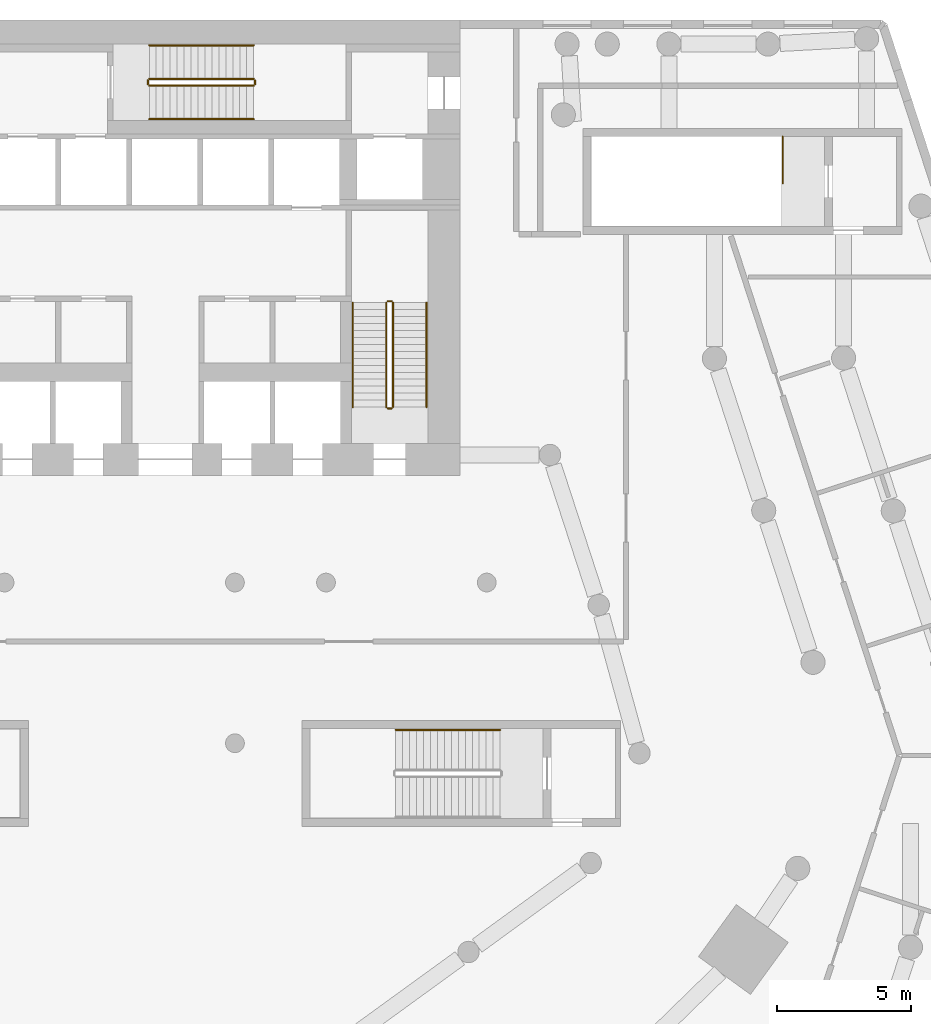
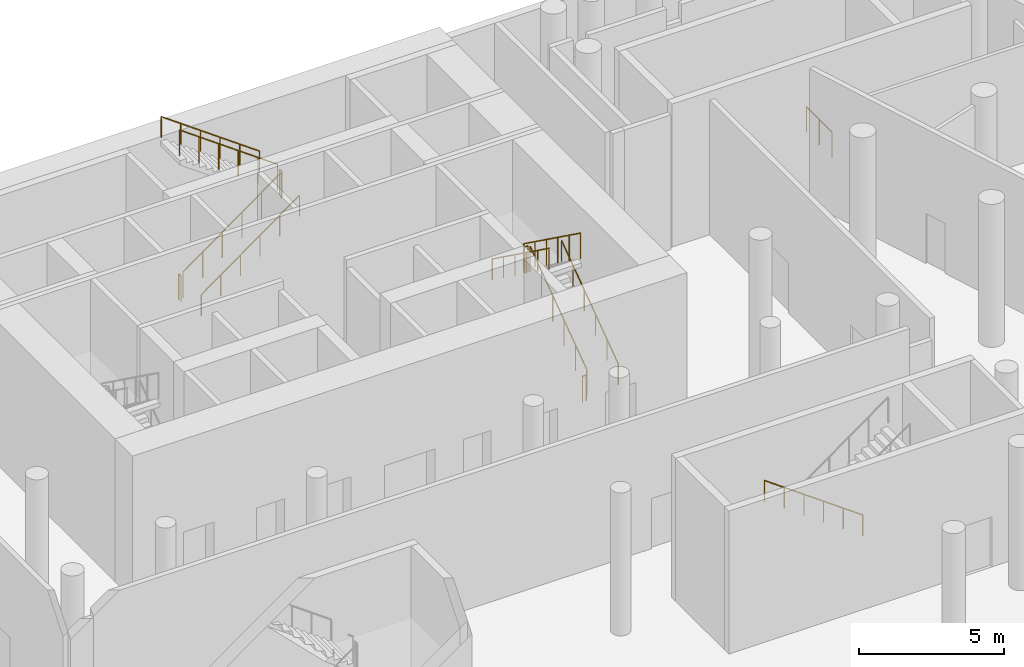
# One storey, part 19 of 19: 14 railings.
"""IFC4 building model written with IfcOpenShell, lengths in metres."""

from ifc_helpers import new_model, si_unit, direction, frame, origin, origin_2d, place, context, subcontext, project, spatial, circle, extrude, material, type_object, element, save


model = new_model("IFC4")

# Units and contexts
model_context = context("Model", 3, precision=1e-05, world=origin(), true_north=direction((0.0, 1.0)))
body_context = subcontext(model_context, "Body", "Model", "MODEL_VIEW")
ifc_project = project(units=[si_unit("LENGTHUNIT", "METRE"), si_unit("AREAUNIT", "SQUARE_METRE"), si_unit("VOLUMEUNIT", "CUBIC_METRE"), si_unit("PLANEANGLEUNIT", "RADIAN"), si_unit("MASSUNIT", "GRAM", prefix="KILO")], contexts=[model_context])

# Site, building, storey
site_placement = place(None, origin())
site = spatial("IfcSite", under=ifc_project, at=site_placement, CompositionType="ELEMENT")
building_placement = place(site_placement, origin())
building = spatial("IfcBuilding", under=site, at=building_placement, Name="White Candle Pilgrim Tower", CompositionType="ELEMENT")
storey_placement = place(building_placement, frame((0.0, 0.0, 23.0)))
storey = spatial("IfcBuildingStorey", under=building, at=storey_placement, Name="L03", CompositionType="ELEMENT", Elevation=23.0)

# Railings
ifc_material = material(Name="Stainless steel", Category="steel")
railing_type_1 = type_object("IfcRailingType", Name="Stair guard stainless steel 1100 mm", PredefinedType="GUARDRAIL", material=ifc_material)
railing_1_placement = place(storey_placement, frame((78.5, 73.550048828125, 0.1875)))
element("IfcRailing", 1, at=railing_1_placement, inside=storey, type_object=railing_type_1, Name="L03 ST2 stair guard 1", PredefinedType="GUARDRAIL", context=body_context, shape_type="SweptSolid", body=[
    extrude(circle(Radius=0.02392578125, at=origin_2d()), frame((0.0, 0.0, 1.076171875), z_axis=(0.0, 0.811083382981, 0.584930547887), x_axis=(-1.0, 0.0, 0.0)), (0.0, 0.0, 1.0), 4.808349609375),
    extrude(circle(Radius=0.02099609375, at=origin_2d()), origin(), (0.0, 0.0, 1.0), 1.052001953125),
    extrude(circle(Radius=0.02099609375, at=origin_2d()), frame((0.0, 0.780029296875, 0.5625)), (0.0, 0.0, 1.0), 1.052001953125),
    extrude(circle(Radius=0.02099609375, at=origin_2d()), frame((0.0, 1.56005859375, 1.125)), (0.0, 0.0, 1.0), 1.052001953125),
    extrude(circle(Radius=0.02099609375, at=origin_2d()), frame((0.0, 2.33984375, 1.6875)), (0.0, 0.0, 1.0), 1.052001953125),
    extrude(circle(Radius=0.02099609375, at=origin_2d()), frame((0.0, 3.119873046875, 2.25)), (0.0, 0.0, 1.0), 1.052001953125),
    extrude(circle(Radius=0.02099609375, at=origin_2d()), frame((0.0, 3.89990234375, 2.8125)), (0.0, 0.0, 1.0), 1.052001953125),
])
railing_2_placement = place(storey_placement, frame((78.449951171875, 77.5, 3.0)))
element("IfcRailing", 2, at=railing_2_placement, inside=storey, type_object=railing_type_1, Name="L03 ST2 stair guard 2", PredefinedType="GUARDRAIL", context=body_context, shape_type="SweptSolid", body=[
    extrude(circle(Radius=0.02392578125, at=origin_2d()), frame((0.0, 0.0, 1.076171875), z_axis=(-1.0, 0.0, 0.0), x_axis=(0.0, -1.0, 0.0)), (0.0, 0.0, 1.0), 0.14990234375),
    extrude(circle(Radius=0.02099609375, at=origin_2d()), origin(), (0.0, 0.0, 1.0), 1.052001953125),
    extrude(circle(Radius=0.02099609375, at=origin_2d()), frame((-0.14990234375, 0.0, 0.0)), (0.0, 0.0, 1.0), 1.052001953125),
])
railing_3_placement = place(storey_placement, frame((78.25, 77.449951171875, 3.1875)))
element("IfcRailing", 3, at=railing_3_placement, inside=storey, type_object=railing_type_1, Name="L03 ST2 stair guard 3", PredefinedType="GUARDRAIL", context=body_context, shape_type="SweptSolid", body=[
    extrude(circle(Radius=0.02392578125, at=origin_2d()), frame((0.0, 0.0, 1.076171875), z_axis=(0.0, -0.811083382981, 0.584930547887), x_axis=(1.0, 0.0, 0.0)), (0.0, 0.0, 1.0), 4.808349609375),
    extrude(circle(Radius=0.02099609375, at=origin_2d()), origin(), (0.0, 0.0, 1.0), 1.052001953125),
    extrude(circle(Radius=0.02099609375, at=origin_2d()), frame((0.0, -0.780029296875, 0.5625)), (0.0, 0.0, 1.0), 1.052001953125),
    extrude(circle(Radius=0.02099609375, at=origin_2d()), frame((0.0, -1.56005859375, 1.125)), (0.0, 0.0, 1.0), 1.052001953125),
    extrude(circle(Radius=0.02099609375, at=origin_2d()), frame((0.0, -2.33984375, 1.6875)), (0.0, 0.0, 1.0), 1.052001953125),
    extrude(circle(Radius=0.02099609375, at=origin_2d()), frame((0.0, -3.119873046875, 2.25)), (0.0, 0.0, 1.0), 1.052001953125),
    extrude(circle(Radius=0.02099609375, at=origin_2d()), frame((0.0, -3.89990234375, 2.8125)), (0.0, 0.0, 1.0), 1.052001953125),
])
railing_4_placement = place(storey_placement, frame((78.449951171875, 73.5, 0.0)))
element("IfcRailing", 4, at=railing_4_placement, inside=storey, type_object=railing_type_1, Name="L03 ST2 stair guard 4", PredefinedType="GUARDRAIL", context=body_context, shape_type="SweptSolid", body=[
    extrude(circle(Radius=0.02392578125, at=origin_2d()), frame((0.0, 0.0, 1.076171875), z_axis=(-1.0, 0.0, 0.0), x_axis=(0.0, -1.0, 0.0)), (0.0, 0.0, 1.0), 0.14990234375),
    extrude(circle(Radius=0.02099609375, at=origin_2d()), origin(), (0.0, 0.0, 1.0), 1.052001953125),
    extrude(circle(Radius=0.02099609375, at=origin_2d()), frame((-0.14990234375, 0.0, 0.0)), (0.0, 0.0, 1.0), 1.052001953125),
])
railing_5_placement = place(storey_placement, frame((69.39990234375, 85.550048828125, 0.1875)))
element("IfcRailing", 5, at=railing_5_placement, inside=storey, type_object=railing_type_1, Name="L03 ST3 stair guard 1", PredefinedType="GUARDRAIL", context=body_context, shape_type="SweptSolid", body=[
    extrude(circle(Radius=0.02392578125, at=origin_2d()), frame((0.0, 0.0, 1.076171875), z_axis=(0.811100754333, 0.0, 0.584906459462), x_axis=(0.0, 1.0, 0.0)), (0.0, 0.0, 1.0), 4.808349609375),
    extrude(circle(Radius=0.02099609375, at=origin_2d()), origin(), (0.0, 0.0, 1.0), 1.052001953125),
    extrude(circle(Radius=0.02099609375, at=origin_2d()), frame((0.780029296875, 0.0, 0.5625)), (0.0, 0.0, 1.0), 1.052001953125),
    extrude(circle(Radius=0.02099609375, at=origin_2d()), frame((1.56005859375, 0.0, 1.125)), (0.0, 0.0, 1.0), 1.052001953125),
    extrude(circle(Radius=0.02099609375, at=origin_2d()), frame((2.340087890625, 0.0, 1.6875)), (0.0, 0.0, 1.0), 1.052001953125),
    extrude(circle(Radius=0.02099609375, at=origin_2d()), frame((3.1201171875, 0.0, 2.25)), (0.0, 0.0, 1.0), 1.052001953125),
    extrude(circle(Radius=0.02099609375, at=origin_2d()), frame((3.900146484375, 0.0, 2.8125)), (0.0, 0.0, 1.0), 1.052001953125),
])
railing_6_placement = place(storey_placement, frame((73.35009765625, 85.60009765625, 3.0)))
element("IfcRailing", 6, at=railing_6_placement, inside=storey, type_object=railing_type_1, Name="L03 ST3 stair guard 2", PredefinedType="GUARDRAIL", context=body_context, shape_type="SweptSolid", body=[
    extrude(circle(Radius=0.02392578125, at=origin_2d()), frame((0.0, 0.0, 1.076171875), z_axis=(0.0, 1.0, 0.0), x_axis=(-1.0, 0.0, 0.0)), (0.0, 0.0, 1.0), 0.14990234375),
    extrude(circle(Radius=0.02099609375, at=origin_2d()), origin(), (0.0, 0.0, 1.0), 1.052001953125),
    extrude(circle(Radius=0.02099609375, at=origin_2d()), frame((0.0, 0.14990234375, 0.0)), (0.0, 0.0, 1.0), 1.052001953125),
])
railing_7_placement = place(storey_placement, frame((73.300048828125, 85.800048828125, 3.1875)))
element("IfcRailing", 7, at=railing_7_placement, inside=storey, type_object=railing_type_1, Name="L03 ST3 stair guard 3", PredefinedType="GUARDRAIL", context=body_context, shape_type="SweptSolid", body=[
    extrude(circle(Radius=0.02392578125, at=origin_2d()), frame((0.0, 0.0, 1.076171875), z_axis=(-0.811100754333, 0.0, 0.584906459462), x_axis=(0.0, -1.0, 0.0)), (0.0, 0.0, 1.0), 4.808349609375),
    extrude(circle(Radius=0.02099609375, at=origin_2d()), origin(), (0.0, 0.0, 1.0), 1.052001953125),
    extrude(circle(Radius=0.02099609375, at=origin_2d()), frame((-0.780029296875, 0.0, 0.5625)), (0.0, 0.0, 1.0), 1.052001953125),
    extrude(circle(Radius=0.02099609375, at=origin_2d()), frame((-1.56005859375, 0.0, 1.125)), (0.0, 0.0, 1.0), 1.052001953125),
    extrude(circle(Radius=0.02099609375, at=origin_2d()), frame((-2.340087890625, 0.0, 1.6875)), (0.0, 0.0, 1.0), 1.052001953125),
    extrude(circle(Radius=0.02099609375, at=origin_2d()), frame((-3.1201171875, 0.0, 2.25)), (0.0, 0.0, 1.0), 1.052001953125),
    extrude(circle(Radius=0.02099609375, at=origin_2d()), frame((-3.900146484375, 0.0, 2.8125)), (0.0, 0.0, 1.0), 1.052001953125),
])
railing_8_placement = place(storey_placement, frame((69.35009765625, 85.60009765625, 0.0)))
element("IfcRailing", 8, at=railing_8_placement, inside=storey, type_object=railing_type_1, Name="L03 ST3 stair guard 4", PredefinedType="GUARDRAIL", context=body_context, shape_type="SweptSolid", body=[
    extrude(circle(Radius=0.02392578125, at=origin_2d()), frame((0.0, 0.0, 1.076171875), z_axis=(0.0, 1.0, 0.0), x_axis=(-1.0, 0.0, 0.0)), (0.0, 0.0, 1.0), 0.14990234375),
    extrude(circle(Radius=0.02099609375, at=origin_2d()), origin(), (0.0, 0.0, 1.0), 1.052001953125),
    extrude(circle(Radius=0.02099609375, at=origin_2d()), frame((0.0, 0.14990234375, 0.0)), (0.0, 0.0, 1.0), 1.052001953125),
])
railing_9_placement = place(storey_placement, frame((93.050048828125, 83.64990234375, 0.0)))
element("IfcRailing", 9, at=railing_9_placement, inside=storey, type_object=railing_type_1, Name="L03 ST11 top well guard 1", PredefinedType="GUARDRAIL", context=body_context, shape_type="SweptSolid", body=[
    extrude(circle(Radius=0.02392578125, at=origin_2d()), frame((0.0, 0.0, 1.076171875), z_axis=(0.0, -1.0, 0.0), x_axis=(1.0, 0.0, 0.0)), (0.0, 0.0, 1.0), 1.75),
    extrude(circle(Radius=0.02099609375, at=origin_2d()), origin(), (0.0, 0.0, 1.0), 1.052001953125),
    extrude(circle(Radius=0.02099609375, at=origin_2d()), frame((0.0, -0.875, 0.0)), (0.0, 0.0, 1.0), 1.052001953125),
    extrude(circle(Radius=0.02099609375, at=origin_2d()), frame((0.0, -1.75, 0.0)), (0.0, 0.0, 1.0), 1.052001953125),
])
railing_type_2 = type_object("IfcRailingType", Name="Stair handrail stainless steel", PredefinedType="HANDRAIL", material=ifc_material)
railing_10_placement = place(storey_placement, frame((79.75, 73.550048828125, 0.1875)))
element("IfcRailing", 10, at=railing_10_placement, inside=storey, type_object=railing_type_2, Name="L03 ST2 stair handrail 1", PredefinedType="HANDRAIL", context=body_context, shape_type="SweptSolid", body=[
    extrude(circle(Radius=0.02392578125, at=origin_2d()), frame((0.0, 0.0, 0.8759765625), z_axis=(0.0, 0.811083382981, 0.584930547887), x_axis=(-1.0, 0.0, 0.0)), (0.0, 0.0, 1.0), 4.808349609375),
    extrude(circle(Radius=0.02099609375, at=origin_2d()), origin(), (0.0, 0.0, 1.0), 0.851806640625),
    extrude(circle(Radius=0.02099609375, at=origin_2d()), frame((0.0, 0.780029296875, 0.5625)), (0.0, 0.0, 1.0), 0.851806640625),
    extrude(circle(Radius=0.02099609375, at=origin_2d()), frame((0.0, 1.56005859375, 1.125)), (0.0, 0.0, 1.0), 0.851806640625),
    extrude(circle(Radius=0.02099609375, at=origin_2d()), frame((0.0, 2.33984375, 1.6875)), (0.0, 0.0, 1.0), 0.851806640625),
    extrude(circle(Radius=0.02099609375, at=origin_2d()), frame((0.0, 3.119873046875, 2.25)), (0.0, 0.0, 1.0), 0.851806640625),
    extrude(circle(Radius=0.02099609375, at=origin_2d()), frame((0.0, 3.89990234375, 2.8125)), (0.0, 0.0, 1.0), 0.851806640625),
])
railing_11_placement = place(storey_placement, frame((77.0, 77.449951171875, 3.1875)))
element("IfcRailing", 11, at=railing_11_placement, inside=storey, type_object=railing_type_2, Name="L03 ST2 stair handrail 2", PredefinedType="HANDRAIL", context=body_context, shape_type="SweptSolid", body=[
    extrude(circle(Radius=0.02392578125, at=origin_2d()), frame((0.0, 0.0, 0.8759765625), z_axis=(0.0, -0.811083382981, 0.584930547887), x_axis=(1.0, 0.0, 0.0)), (0.0, 0.0, 1.0), 4.808349609375),
    extrude(circle(Radius=0.02099609375, at=origin_2d()), origin(), (0.0, 0.0, 1.0), 0.851806640625),
    extrude(circle(Radius=0.02099609375, at=origin_2d()), frame((0.0, -0.780029296875, 0.5625)), (0.0, 0.0, 1.0), 0.851806640625),
    extrude(circle(Radius=0.02099609375, at=origin_2d()), frame((0.0, -1.56005859375, 1.125)), (0.0, 0.0, 1.0), 0.851806640625),
    extrude(circle(Radius=0.02099609375, at=origin_2d()), frame((0.0, -2.33984375, 1.6875)), (0.0, 0.0, 1.0), 0.851806640625),
    extrude(circle(Radius=0.02099609375, at=origin_2d()), frame((0.0, -3.119873046875, 2.25)), (0.0, 0.0, 1.0), 0.851806640625),
    extrude(circle(Radius=0.02099609375, at=origin_2d()), frame((0.0, -3.89990234375, 2.8125)), (0.0, 0.0, 1.0), 0.851806640625),
])
railing_12_placement = place(storey_placement, frame((69.39990234375, 84.300048828125, 0.1875)))
element("IfcRailing", 12, at=railing_12_placement, inside=storey, type_object=railing_type_2, Name="L03 ST3 stair handrail 1", PredefinedType="HANDRAIL", context=body_context, shape_type="SweptSolid", body=[
    extrude(circle(Radius=0.02392578125, at=origin_2d()), frame((0.0, 0.0, 0.8759765625), z_axis=(0.811100754333, 0.0, 0.584906459462), x_axis=(0.0, 1.0, 0.0)), (0.0, 0.0, 1.0), 4.808349609375),
    extrude(circle(Radius=0.02099609375, at=origin_2d()), origin(), (0.0, 0.0, 1.0), 0.851806640625),
    extrude(circle(Radius=0.02099609375, at=origin_2d()), frame((0.780029296875, 0.0, 0.5625)), (0.0, 0.0, 1.0), 0.851806640625),
    extrude(circle(Radius=0.02099609375, at=origin_2d()), frame((1.56005859375, 0.0, 1.125)), (0.0, 0.0, 1.0), 0.851806640625),
    extrude(circle(Radius=0.02099609375, at=origin_2d()), frame((2.340087890625, 0.0, 1.6875)), (0.0, 0.0, 1.0), 0.851806640625),
    extrude(circle(Radius=0.02099609375, at=origin_2d()), frame((3.1201171875, 0.0, 2.25)), (0.0, 0.0, 1.0), 0.851806640625),
    extrude(circle(Radius=0.02099609375, at=origin_2d()), frame((3.900146484375, 0.0, 2.8125)), (0.0, 0.0, 1.0), 0.851806640625),
])
railing_13_placement = place(storey_placement, frame((73.300048828125, 87.050048828125, 3.1875)))
element("IfcRailing", 13, at=railing_13_placement, inside=storey, type_object=railing_type_2, Name="L03 ST3 stair handrail 2", PredefinedType="HANDRAIL", context=body_context, shape_type="SweptSolid", body=[
    extrude(circle(Radius=0.02392578125, at=origin_2d()), frame((0.0, 0.0, 0.8759765625), z_axis=(-0.811100754333, 0.0, 0.584906459462), x_axis=(0.0, -1.0, 0.0)), (0.0, 0.0, 1.0), 4.808349609375),
    extrude(circle(Radius=0.02099609375, at=origin_2d()), origin(), (0.0, 0.0, 1.0), 0.851806640625),
    extrude(circle(Radius=0.02099609375, at=origin_2d()), frame((-0.780029296875, 0.0, 0.5625)), (0.0, 0.0, 1.0), 0.851806640625),
    extrude(circle(Radius=0.02099609375, at=origin_2d()), frame((-1.56005859375, 0.0, 1.125)), (0.0, 0.0, 1.0), 0.851806640625),
    extrude(circle(Radius=0.02099609375, at=origin_2d()), frame((-2.340087890625, 0.0, 1.6875)), (0.0, 0.0, 1.0), 0.851806640625),
    extrude(circle(Radius=0.02099609375, at=origin_2d()), frame((-3.1201171875, 0.0, 2.25)), (0.0, 0.0, 1.0), 0.851806640625),
    extrude(circle(Radius=0.02099609375, at=origin_2d()), frame((-3.900146484375, 0.0, 2.8125)), (0.0, 0.0, 1.0), 0.851806640625),
])
railing_14_placement = place(storey_placement, frame((82.5, 61.5, 0.1875)))
element("IfcRailing", 14, at=railing_14_placement, inside=storey, type_object=railing_type_2, Name="L03 ST4 stair handrail 1", PredefinedType="HANDRAIL", context=body_context, shape_type="SweptSolid", body=[
    extrude(circle(Radius=0.02392578125, at=origin_2d()), frame((0.0, 0.0, 0.8759765625), z_axis=(-0.811083382981, 0.0, 0.584930547887), x_axis=(0.0, -1.0, 0.0)), (0.0, 0.0, 1.0), 4.808349609375),
    extrude(circle(Radius=0.02099609375, at=origin_2d()), origin(), (0.0, 0.0, 1.0), 0.851806640625),
    extrude(circle(Radius=0.02099609375, at=origin_2d()), frame((-0.780029296875, 0.0, 0.5625)), (0.0, 0.0, 1.0), 0.851806640625),
    extrude(circle(Radius=0.02099609375, at=origin_2d()), frame((-1.56005859375, 0.0, 1.125)), (0.0, 0.0, 1.0), 0.851806640625),
    extrude(circle(Radius=0.02099609375, at=origin_2d()), frame((-2.33984375, 0.0, 1.6875)), (0.0, 0.0, 1.0), 0.851806640625),
    extrude(circle(Radius=0.02099609375, at=origin_2d()), frame((-3.119873046875, 0.0, 2.25)), (0.0, 0.0, 1.0), 0.851806640625),
    extrude(circle(Radius=0.02099609375, at=origin_2d()), frame((-3.89990234375, 0.0, 2.8125)), (0.0, 0.0, 1.0), 0.851806640625),
])

save(model, "model.ifc")
